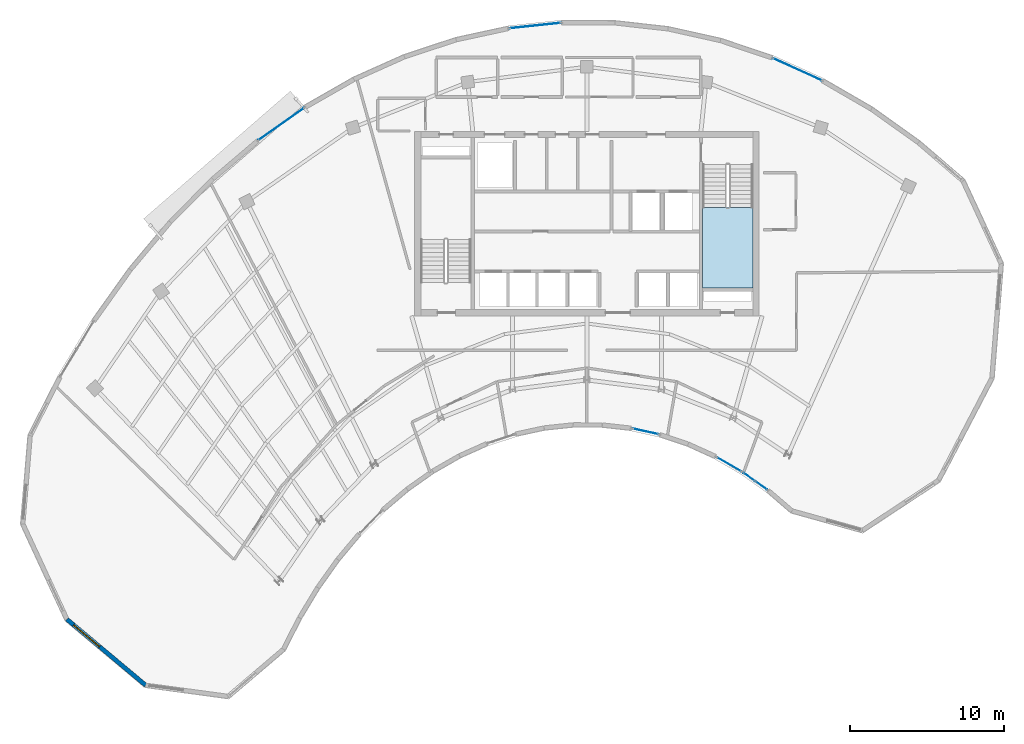
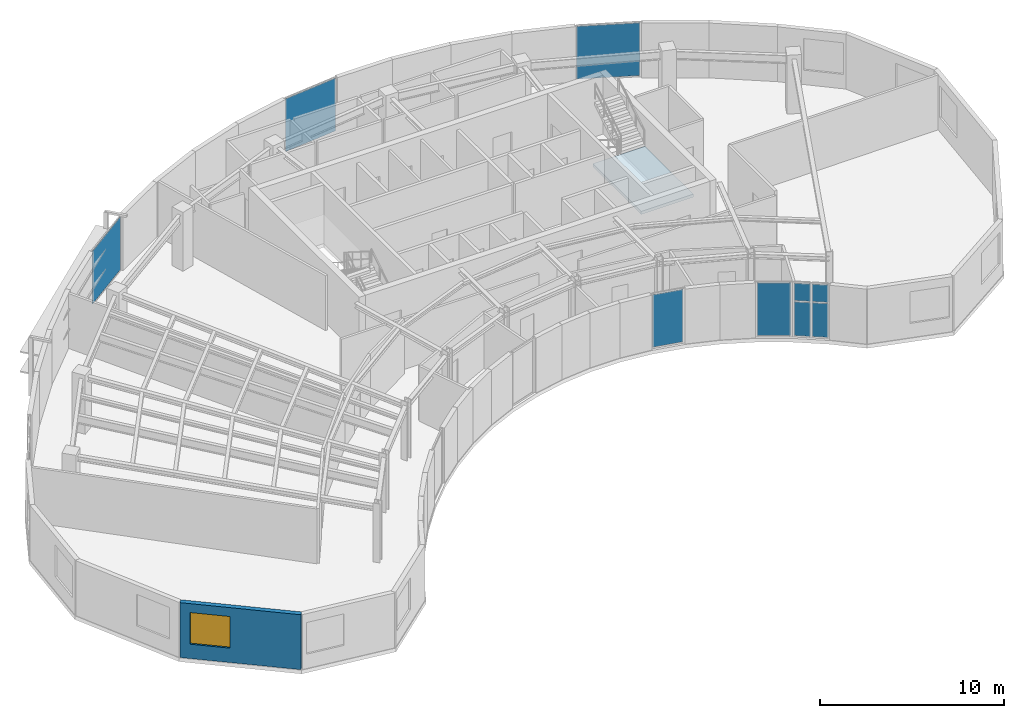
# One storey, part 7 of 13: 9 plates, 1 slab, 1 wall, 1 window, 1 opening, 7 elements without a shape of their own.
"""IFC4 building model written with IfcOpenShell, lengths in metres."""

from ifc_helpers import new_model, si_unit, direction, frame, frame_2d, origin, origin_2d, place, context, subcontext, project, spatial, polyline, rectangle, outline, extrude, source, transform, mapped, material, layer, layer_set, type_object, type_shapes, element, fill, aggregate, save


model = new_model("IFC4")

# Units and contexts
model_context = context("Model", 3, precision=1e-05, world=origin(), true_north=direction((0.0, 1.0)))
body_context = subcontext(model_context, "Body", "Model", "MODEL_VIEW")
ifc_project = project(units=[si_unit("LENGTHUNIT", "METRE"), si_unit("AREAUNIT", "SQUARE_METRE"), si_unit("VOLUMEUNIT", "CUBIC_METRE"), si_unit("PLANEANGLEUNIT", "RADIAN"), si_unit("MASSUNIT", "GRAM", prefix="KILO")], contexts=[model_context])

# Site, building, storey
site_placement = place(None, origin())
site = spatial("IfcSite", under=ifc_project, at=site_placement, CompositionType="ELEMENT")
building_placement = place(site_placement, origin())
building = spatial("IfcBuilding", under=site, at=building_placement, Name="Breltana Convention Tower", CompositionType="ELEMENT")
storey_placement = place(building_placement, frame((0.0, 0.0, 271.800048828125)))
storey = spatial("IfcBuildingStorey", under=building, at=storey_placement, Name="L66", CompositionType="ELEMENT", Elevation=271.800048828125)

# Stair, slab
ifc_material_1 = material(Name="Concrete C40/50", Category="concrete")
stair_type = type_object("IfcStairType", Name="ST-DOG-1560-R177", PredefinedType="HALF_TURN_STAIR", material=ifc_material_1)
stair_placement = place(storey_placement, origin())
stair = element("IfcStair", 1, at=stair_placement, inside=storey, type_object=stair_type, Name="L66 Protected Core Exit Stair ST-2", PredefinedType="HALF_TURN_STAIR")
ifc_layer_1 = layer(ifc_material_1, 0.199951171875, Name="Concrete C40/50")
ifc_layer_set_1 = layer_set([ifc_layer_1], Name="Concrete C40/50")
slab_type = type_object("IfcSlabType", Name="SL-STAIR-LANDING-200", PredefinedType="LANDING", material=ifc_layer_set_1)
slab_placement = place(storey_placement, frame((0.0, 0.0, 1.75)))
slab = element("IfcSlab", 2, at=slab_placement, type_object=slab_type, Name="ST-2 landing 1", PredefinedType="LANDING", context=body_context, shape_type="SweptSolid", body=[
    extrude(outline(polyline([(55.530029296875, 67.239990234375), (55.530029296875, 62.0), (58.800048828125, 62.0), (58.800048828125, 67.239990234375), (55.530029296875, 67.239990234375)])), origin(), (0.0, 0.0, 1.0), 0.199951171875),
])
aggregate(stair, [slab])

# Curtain wall, plates
ifc_material_2 = material(Name="Aluminium Anodised Bronze Frame", Category="aluminium")
ifc_layer_2 = layer(ifc_material_2, 0.18994140625, Name="Aluminium Anodised Bronze Frame")
ifc_layer_set_2 = layer_set([ifc_layer_2], Name="Aluminium Anodised Bronze Frame")
curtain_wall_type_1 = type_object("IfcCurtainWallType", Name="CW-SYS-1", PredefinedType="NOTDEFINED", material=ifc_layer_set_2)
curtain_wall_1_placement = place(storey_placement, origin())
curtain_wall_1 = element("IfcCurtainWall", 3, at=curtain_wall_1_placement, inside=storey, type_object=curtain_wall_type_1, Name="L66 inner south-court glazing 1", PredefinedType="NOTDEFINED")
ifc_material_3 = material(Name="Glass Low-E Double Glazing", Category="glass")
ifc_layer_3 = layer(ifc_material_3, 0.028076171875, Name="Glass Low-E Double Glazing")
ifc_layer_set_3 = layer_set([ifc_layer_3], Name="Glass Low-E Double Glazing")
plate_type_1 = type_object("IfcPlateType", Name="CWP-IGU-28", PredefinedType="CURTAIN_PANEL", material=ifc_layer_set_3)
shared_shape_1 = source(origin(), body_context, "Body", "SweptSolid", [
    extrude(rectangle(XDim=0.89599609375, YDim=0.028076171875, at=origin_2d()), origin(), (0.0, 0.0, 1.0), 2.24609375),
])
plate_1_placement = place(storey_placement, frame((59.3466796875, 49.1650390625, 0.079833984375), z_axis=(0.0, 0.0, 1.0), x_axis=(-0.814148872575, 0.58065619198, 0.0)))
plate_1 = element("IfcPlate", 4, at=plate_1_placement, type_object=plate_type_1, Name="CW-01 panel 1.1", PredefinedType="CURTAIN_PANEL", context=body_context, shape_type="MappedRepresentation", body=[
    mapped(shared_shape_1, transform((0.0, 0.0, 0.0), scale=1.0)),
])
plate_2_placement = place(storey_placement, frame((58.552001953125, 49.731689453125, 0.079833984375), z_axis=(0.0, 0.0, 1.0), x_axis=(-0.814148872575, 0.58065619198, 0.0)))
plate_2 = element("IfcPlate", 5, at=plate_2_placement, type_object=plate_type_1, Name="CW-01 panel 2.1", PredefinedType="CURTAIN_PANEL", context=body_context, shape_type="MappedRepresentation", body=[
    mapped(shared_shape_1, transform((0.0, 0.0, 0.0), scale=1.0)),
])
shared_shape_2 = source(origin(), body_context, "Body", "SweptSolid", [
    extrude(rectangle(XDim=0.89599609375, YDim=0.028076171875, at=origin_2d()), origin(), (0.0, 0.0, 1.0), 1.154052734375),
])
plate_3_placement = place(storey_placement, frame((59.3466796875, 49.1650390625, 2.40576171875), z_axis=(0.0, 0.0, 1.0), x_axis=(-0.814148872575, 0.58065619198, 0.0)))
plate_3 = element("IfcPlate", 6, at=plate_3_placement, type_object=plate_type_1, Name="CW-01 panel 1.2", PredefinedType="CURTAIN_PANEL", context=body_context, shape_type="MappedRepresentation", body=[
    mapped(shared_shape_2, transform((0.0, 0.0, 0.0), scale=1.0)),
])
plate_4_placement = place(storey_placement, frame((58.552001953125, 49.731689453125, 2.40576171875), z_axis=(0.0, 0.0, 1.0), x_axis=(-0.814148872575, 0.58065619198, 0.0)))
plate_4 = element("IfcPlate", 7, at=plate_4_placement, type_object=plate_type_1, Name="CW-01 panel 2.2", PredefinedType="CURTAIN_PANEL", context=body_context, shape_type="MappedRepresentation", body=[
    mapped(shared_shape_2, transform((0.0, 0.0, 0.0), scale=1.0)),
])
aggregate(curtain_wall_1, [plate_1, plate_3, plate_2, plate_4])

# Curtain wall, plate
curtain_wall_2_placement = place(storey_placement, origin())
curtain_wall_2 = element("IfcCurtainWall", 8, at=curtain_wall_2_placement, inside=storey, type_object=curtain_wall_type_1, Name="L66 inner south-court glazing 2", PredefinedType="NOTDEFINED")
shared_shape_3 = source(origin(), body_context, "Body", "SweptSolid", [
    extrude(rectangle(XDim=1.828125, YDim=0.028076171875, at=origin_2d()), origin(), (0.0, 0.0, 1.0), 3.47998046875),
])
plate_5_placement = place(storey_placement, frame((57.24755859375, 50.5458984375, 0.080078125), z_axis=(0.0, 0.0, 1.0), x_axis=(-0.865321810221, 0.501216684434, 0.0)))
plate_5 = element("IfcPlate", 9, at=plate_5_placement, type_object=plate_type_1, Name="CW-01 panel 1.1", PredefinedType="CURTAIN_PANEL", context=body_context, shape_type="MappedRepresentation", body=[
    mapped(shared_shape_3, transform((0.0, 0.0, 0.0), scale=1.0)),
])
aggregate(curtain_wall_2, [plate_5])

curtain_wall_3_placement = place(storey_placement, origin())
curtain_wall_3 = element("IfcCurtainWall", 10, at=curtain_wall_3_placement, inside=storey, type_object=curtain_wall_type_1, Name="L66 inner south-court glazing 3", PredefinedType="NOTDEFINED")
shared_shape_4 = source(origin(), body_context, "Body", "SweptSolid", [
    extrude(rectangle(XDim=1.734130859375, YDim=0.028076171875, at=origin_2d()), origin(), (0.0, 0.0, 1.0), 3.47998046875),
])
plate_6_placement = place(storey_placement, frame((51.81884765625, 52.686767578125, 0.080078125), z_axis=(0.0, 0.0, 1.0), x_axis=(-0.976149777842, 0.217098160332, 0.0)))
plate_6 = element("IfcPlate", 11, at=plate_6_placement, type_object=plate_type_1, Name="CW-01 panel 1.1", PredefinedType="CURTAIN_PANEL", context=body_context, shape_type="MappedRepresentation", body=[
    mapped(shared_shape_4, transform((0.0, 0.0, 0.0), scale=1.0)),
])
aggregate(curtain_wall_3, [plate_6])

ifc_layer_4 = layer(ifc_material_2, 0.22998046875, Name="Aluminium Anodised Bronze Frame")
ifc_layer_set_4 = layer_set([ifc_layer_4], Name="Aluminium Anodised Bronze Frame")
curtain_wall_type_2 = type_object("IfcCurtainWallType", Name="CW-SYS-5", PredefinedType="NOTDEFINED", material=ifc_layer_set_4)
curtain_wall_4_placement = place(storey_placement, origin())
curtain_wall_4 = element("IfcCurtainWall", 12, at=curtain_wall_4_placement, inside=storey, type_object=curtain_wall_type_2, Name="L66 outer double-skin inner glazing 2", PredefinedType="NOTDEFINED")
ifc_layer_5 = layer(ifc_material_3, 0.035888671875, Name="Glass Low-E Double Glazing")
ifc_layer_set_5 = layer_set([ifc_layer_5], Name="Glass Low-E Double Glazing")
plate_type_2 = type_object("IfcPlateType", Name="CWP-IGU-36", PredefinedType="CURTAIN_PANEL", material=ifc_layer_set_5)
shared_shape_5 = source(origin(), body_context, "Body", "SweptSolid", [
    extrude(rectangle(XDim=3.61279296875, YDim=0.035888671875, at=origin_2d()), origin(), (0.0, 0.0, 1.0), 3.5),
])
plate_7_placement = place(storey_placement, frame((28.128662109375, 72.673583984375, 0.070068359375), z_axis=(0.0, 0.0, 1.0), x_axis=(0.817009955402, 0.576623562452, 0.0)))
plate_7 = element("IfcPlate", 13, at=plate_7_placement, type_object=plate_type_2, Name="CW-05 panel 1.1", PredefinedType="CURTAIN_PANEL", context=body_context, shape_type="MappedRepresentation", body=[
    mapped(shared_shape_5, transform((0.0, 0.0, 0.0), scale=1.0)),
])
aggregate(curtain_wall_4, [plate_7])

curtain_wall_5_placement = place(storey_placement, origin())
curtain_wall_5 = element("IfcCurtainWall", 14, at=curtain_wall_5_placement, inside=storey, type_object=curtain_wall_type_2, Name="L66 outer double-skin inner glazing 3", PredefinedType="NOTDEFINED")
shared_shape_6 = source(origin(), body_context, "Body", "SweptSolid", [
    extrude(rectangle(XDim=3.329833984375, YDim=0.035888671875, at=origin_2d()), origin(), (0.0, 0.0, 1.0), 3.5),
])
plate_8_placement = place(storey_placement, frame((44.63720703125, 79.08056640625, 0.070068359375), z_axis=(0.0, 0.0, 1.0), x_axis=(0.994424782701, 0.105448335932, 0.0)))
plate_8 = element("IfcPlate", 15, at=plate_8_placement, type_object=plate_type_2, Name="CW-05 panel 1.1", PredefinedType="CURTAIN_PANEL", context=body_context, shape_type="MappedRepresentation", body=[
    mapped(shared_shape_6, transform((0.0, 0.0, 0.0), scale=1.0)),
])
aggregate(curtain_wall_5, [plate_8])

curtain_wall_6_placement = place(storey_placement, origin())
curtain_wall_6 = element("IfcCurtainWall", 16, at=curtain_wall_6_placement, inside=storey, type_object=curtain_wall_type_2, Name="L66 outer double-skin inner glazing 4", PredefinedType="NOTDEFINED")
shared_shape_7 = source(origin(), body_context, "Body", "SweptSolid", [
    extrude(rectangle(XDim=3.462646484375, YDim=0.035888671875, at=origin_2d()), origin(), (0.0, 0.0, 1.0), 3.5),
])
plate_9_placement = place(storey_placement, frame((61.686279296875, 76.234619140625, 0.070068359375), z_axis=(0.0, 0.0, 1.0), x_axis=(0.910487166611, -0.413537325324, 0.0)))
plate_9 = element("IfcPlate", 17, at=plate_9_placement, type_object=plate_type_2, Name="CW-05 panel 1.1", PredefinedType="CURTAIN_PANEL", context=body_context, shape_type="MappedRepresentation", body=[
    mapped(shared_shape_7, transform((0.0, 0.0, 0.0), scale=1.0)),
])
aggregate(curtain_wall_6, [plate_9])

# Wall, opening, window
ifc_material_4 = material(Name="Limestone Buff Insulated Wall", Category="masonry")
ifc_layer_6 = layer(ifc_material_4, 0.280029296875, Name="Limestone Buff Insulated Wall")
ifc_layer_set_6 = layer_set([ifc_layer_6], Name="Limestone Buff Insulated Wall")
wall_type = type_object("IfcWallType", Name="WL-EXT-NOSE-280", PredefinedType="SOLIDWALL", material=ifc_layer_set_6)
shared_shape_8 = source(origin(), body_context, "Body", "SweptSolid", [
    extrude(rectangle(XDim=6.67529296875, YDim=0.280029296875, at=frame_2d((3.337646484375, 0.0))), origin(), (0.0, 0.0, 1.0), 3.639892578125),
])
wall_placement = place(storey_placement, frame((19.30224609375, 36.1787109375, 0.0), z_axis=(0.0, 0.0, 1.0), x_axis=(-0.766726273546, 0.641974159491, 0.0)))
wall = element("IfcWall", 18, at=wall_placement, inside=storey, type_object=wall_type, Name="L66 curved limestone nose wall W4", PredefinedType="SOLIDWALL", context=body_context, shape_type="MappedRepresentation", body=[
    mapped(shared_shape_8, transform((0.0, 0.0, 0.0), scale=1.0)),
])
opening_placement = place(wall_placement, frame((3.906494140625, 0.0, 0.949951171875)))
opening = element("IfcOpeningElement", 19, at=opening_placement, cuts=wall, Name="Opening W-03", PredefinedType="OPENING", context=body_context, shape_type="SweptSolid", body=[
    extrude(rectangle(XDim=2.199951171875, YDim=2.10009765625, at=frame_2d((1.10009765625, 1.050048828125))), frame((0.0, 0.14990234375, 0.0), z_axis=(0.0, -1.0, 0.0), x_axis=(1.0, 0.0, 0.0)), (0.0, 0.0, 1.0), 0.300048828125),
])
ifc_material_5 = material(Name="Glass Low-E Insulated Window", Category="glass")
window_type = type_object("IfcWindowType", Name="WN-NOSE-2200X2100", PartitioningType="TRIPLE_PANEL_VERTICAL", PredefinedType="WINDOW", material=ifc_material_5)
shared_shape_9 = source(origin(), body_context, "Body", "SweptSolid", [
    extrude(rectangle(XDim=2.199951171875, YDim=2.10009765625, at=frame_2d((1.10009765625, 1.050048828125))), frame((0.0, 0.030029296875, 0.0), z_axis=(0.0, -1.0, 0.0), x_axis=(1.0, 0.0, 0.0)), (0.0, 0.0, 1.0), 0.06005859375),
])
type_shapes(window_type, [shared_shape_9])
window_placement = place(opening_placement, origin())
window = element("IfcWindow", 20, at=window_placement, inside=storey, type_object=window_type, Name="L66 nose window W4", OverallHeight=2.10009765625, OverallWidth=2.199951171875, PartitioningType="TRIPLE_PANEL_VERTICAL", PredefinedType="WINDOW", context=body_context, shape_type="MappedRepresentation", body=[
    mapped(shared_shape_9, transform((0.0, 0.0, 0.0), scale=1.0)),
])
fill(opening, window)

save(model, "model.ifc")
